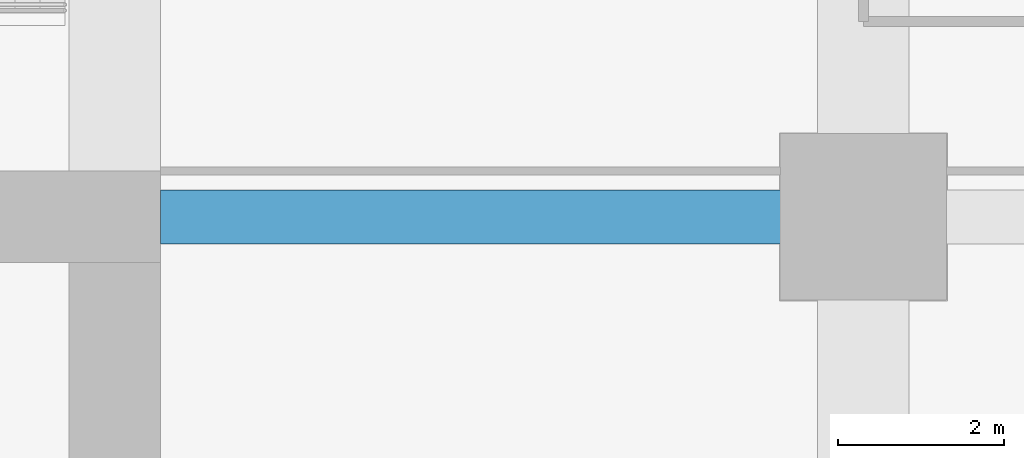
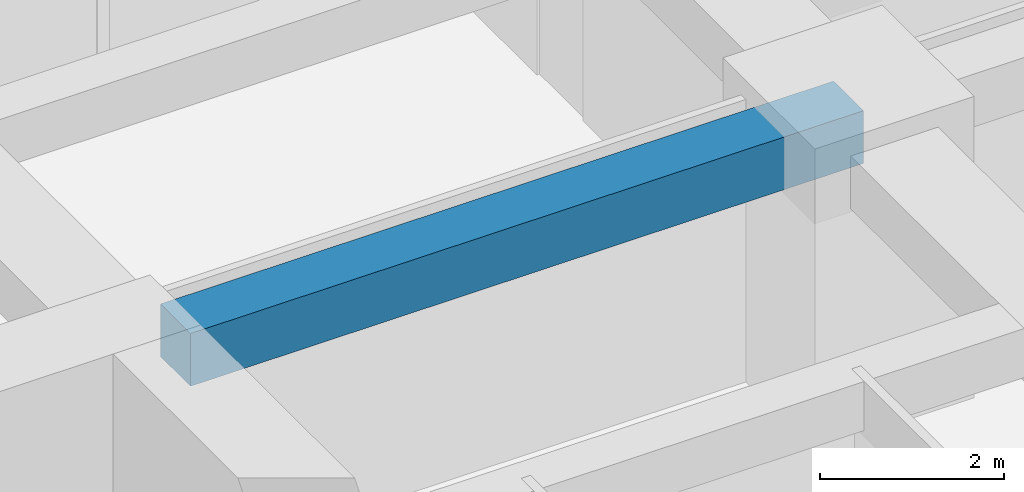
# One storey, part 31 of 41: 1 beam.
"""IFC4 building model written with IfcOpenShell, lengths in metres."""

from ifc_helpers import new_model, si_unit, direction, frame, origin, origin_2d, place, context, subcontext, project, spatial, rectangle, extrude, material, material_profile, profile_set, type_object, element, save


model = new_model("IFC4")

# Units and contexts
model_context = context("Model", 3, precision=1e-05, world=origin(), true_north=direction((0.0, 1.0)))
body_context = subcontext(model_context, "Body", "Model", "MODEL_VIEW")
ifc_project = project(units=[si_unit("LENGTHUNIT", "METRE"), si_unit("AREAUNIT", "SQUARE_METRE"), si_unit("VOLUMEUNIT", "CUBIC_METRE"), si_unit("PLANEANGLEUNIT", "RADIAN"), si_unit("MASSUNIT", "GRAM", prefix="KILO")], contexts=[model_context])

# Site, building, storey
site_placement = place(None, origin())
site = spatial("IfcSite", under=ifc_project, at=site_placement, CompositionType="ELEMENT")
building_placement = place(site_placement, origin())
building = spatial("IfcBuilding", under=site, at=building_placement, Name="Zorevar Civic Tower", CompositionType="ELEMENT")
storey_placement = place(building_placement, frame((0.0, 0.0, 97.0)))
storey = spatial("IfcBuildingStorey", under=building, at=storey_placement, Name="L23", CompositionType="ELEMENT", Elevation=97.0)

# Beam
ifc_material = material(Name="Concrete C50/60", Category="concrete")
ifc_material_profile = material_profile(ifc_material, rectangle(XDim=0.64990234375, YDim=0.699951171875, at=origin_2d()), Name="RC 650x700")
ifc_profile_set = profile_set([ifc_material_profile], Name="Concrete C50/60")
beam_type = type_object("IfcBeamType", Name="Beam RC 650x700", PredefinedType="BEAM", material=ifc_profile_set)
beam_placement = place(storey_placement, frame((45.550048828125, 36.0, 3.39990234375), z_axis=(1.0, 0.0, 0.0), x_axis=(0.0, 1.0, 0.0)))
element("IfcBeam", 1, at=beam_placement, inside=storey, type_object=beam_type, Name="Girder L24", PredefinedType="BEAM", context=body_context, shape_type="SweptSolid", body=[
    extrude(rectangle(XDim=0.64990234375, YDim=0.699951171875, at=origin_2d()), origin(), (0.0, 0.0, 1.0), 8.449951171875),
])

save(model, "model.ifc")
